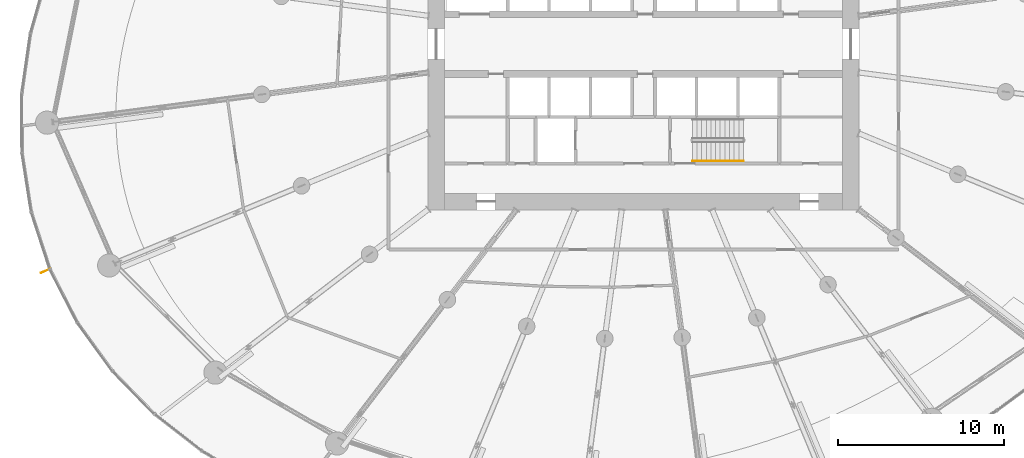
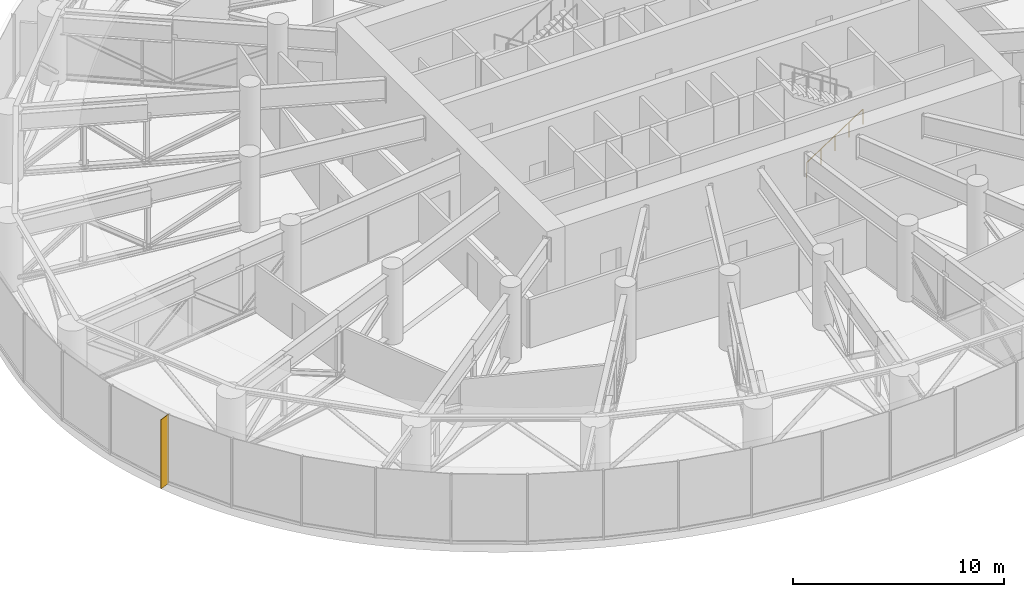
# One storey, part 40 of 42: 1 railing, 1 shading device.
"""IFC4 building model written with IfcOpenShell, lengths in metres."""

from ifc_helpers import new_model, si_unit, direction, frame, origin, origin_2d, place, context, subcontext, project, spatial, rectangle, circle, extrude, source, transform, mapped, material, material_profile, profile_set, type_object, element, save


model = new_model("IFC4")

# Units and contexts
model_context = context("Model", 3, precision=1e-05, world=origin(), true_north=direction((0.0, 1.0)))
body_context = subcontext(model_context, "Body", "Model", "MODEL_VIEW")
ifc_project = project(units=[si_unit("LENGTHUNIT", "METRE"), si_unit("AREAUNIT", "SQUARE_METRE"), si_unit("VOLUMEUNIT", "CUBIC_METRE"), si_unit("PLANEANGLEUNIT", "RADIAN"), si_unit("MASSUNIT", "GRAM", prefix="KILO")], contexts=[model_context])

# Site, building, storey
site_placement = place(None, origin())
site = spatial("IfcSite", under=ifc_project, at=site_placement, CompositionType="ELEMENT")
building_placement = place(site_placement, origin())
building = spatial("IfcBuilding", under=site, at=building_placement, Name="Spindrift Exchange Tower", CompositionType="ELEMENT")
storey_placement = place(building_placement, frame((0.0, 0.0, 75.39990234375)))
storey = spatial("IfcBuildingStorey", under=building, at=storey_placement, Name="L17", CompositionType="ELEMENT", Elevation=75.39990234375)

# Railing
ifc_material_1 = material(Name="Steel tubular handrail", Category="steel")
railing_type = type_object("IfcRailingType", Name="RL-STAIR-HAND", PredefinedType="HANDRAIL", material=ifc_material_1)
railing_placement = place(storey_placement, frame((54.949951171875, 40.949951171875, 0.183349609375)))
element("IfcRailing", 1, at=railing_placement, inside=storey, type_object=railing_type, Name="L17 ST2 stair handrail 1", PredefinedType="HANDRAIL", context=body_context, shape_type="SweptSolid", body=[
    extrude(circle(Radius=0.02392578125, at=origin_2d()), frame((0.0, 0.0, 0.8759765625), z_axis=(0.836602609513, 0.0, 0.547810253423), x_axis=(0.0, 1.0, 0.0)), (0.0, 0.0, 1.0), 3.681640625),
    extrude(circle(Radius=0.02099609375, at=origin_2d()), origin(), (0.0, 0.0, 1.0), 0.851806640625),
    extrude(circle(Radius=0.02099609375, at=origin_2d()), frame((0.77001953125, 0.0, 0.504150390625)), (0.0, 0.0, 1.0), 0.851806640625),
    extrude(circle(Radius=0.02099609375, at=origin_2d()), frame((1.5400390625, 0.0, 1.00830078125)), (0.0, 0.0, 1.0), 0.851806640625),
    extrude(circle(Radius=0.02099609375, at=origin_2d()), frame((2.31005859375, 0.0, 1.5126953125)), (0.0, 0.0, 1.0), 0.851806640625),
    extrude(circle(Radius=0.02099609375, at=origin_2d()), frame((3.080078125, 0.0, 2.016845703125)), (0.0, 0.0, 1.0), 0.851806640625),
])

# Shading device
ifc_material_2 = material(Name="Bronze anodised aluminium", Category="aluminium")
ifc_material_profile = material_profile(ifc_material_2, rectangle(XDim=0.030029296875, YDim=0.60009765625, at=origin_2d()), Name="WIND FIN 30X600")
ifc_profile_set = profile_set([ifc_material_profile], Name="Bronze anodised aluminium")
shading_device_type = type_object("IfcShadingDeviceType", Name="WIND FIN 30X600", PredefinedType="USERDEFINED", material=ifc_profile_set)
shared_shape = source(origin(), body_context, "Body", "SweptSolid", [
    extrude(rectangle(XDim=0.030029296875, YDim=0.60009765625, at=origin_2d()), origin(), (0.0, 0.0, 1.0), 4.0),
])
shading_device_placement = place(storey_placement, frame((15.9169921875, 34.316650390625, 0.0), z_axis=(0.0, 0.0, 1.0), x_axis=(0.384224424072, -0.923239726153, 0.0)))
element("IfcShadingDevice", 2, at=shading_device_placement, inside=storey, type_object=shading_device_type, Name="L17 wind fin 1", ObjectType="FIN", PredefinedType="USERDEFINED", context=body_context, shape_type="MappedRepresentation", body=[
    mapped(shared_shape, transform((0.0, 0.0, 0.0), scale=1.0)),
])

save(model, "model.ifc")
